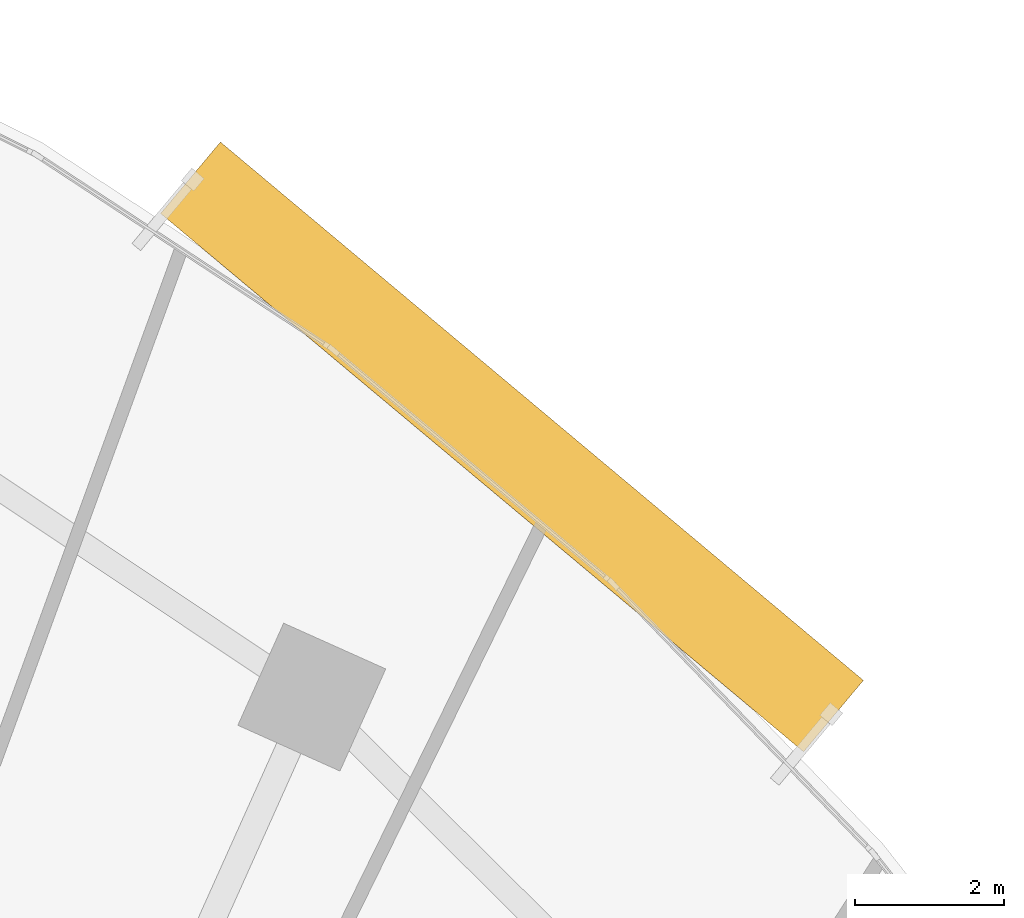
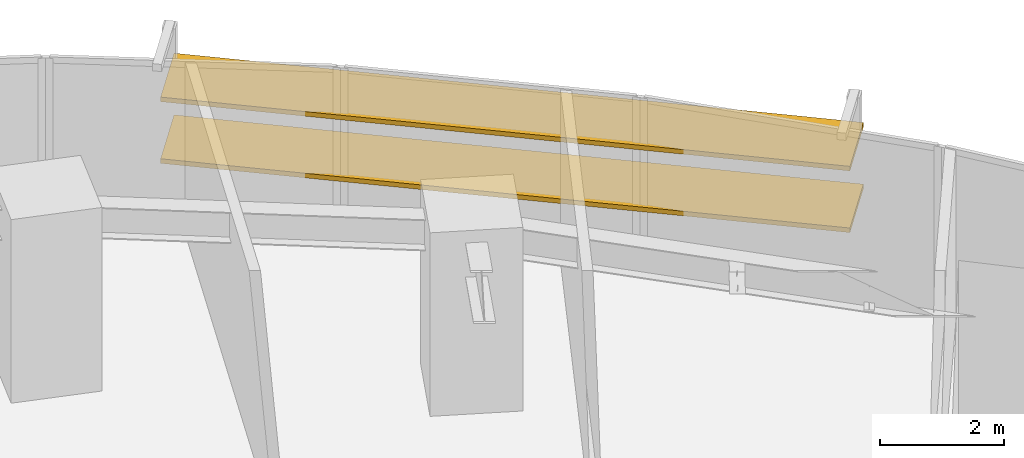
# One storey, part 17 of 17: 2 shading devices.
"""IFC4 building model written with IfcOpenShell, lengths in metres."""

import ifcopenshell
import ifcopenshell.guid

model = None  # the IFC model being written
_history = None  # IfcOwnerHistory: only IFC2X3 demands one
_inside = {}  # id of a spatial element -> (the spatial element, [elements in it])
_under = {}  # id of a project, library or spatial element -> (it, [spatial elements below it])
_declared = {}  # id of a project -> (the project, [libraries it declares])
_typed = {}  # id of a type object -> (the type object, [elements of that type])
_made_of = {}  # id of a material, layer set ... -> (it, [elements and type objects made of it])


def new_model(schema):
    """Start an empty IFC model of exactly this schema.

    Asked for "IFC4X3", IfcOpenShell would pick the latest addendum, in which some entities
    have other attributes; the version numbers below select the first issue.
    IFC2X3 requires an IfcOwnerHistory on every rooted entity: one is made here for all.
    """
    global model, _history
    if schema == "IFC4X3":
        model = ifcopenshell.file(schema_version=(4, 3, 0, 0))
    else:
        model = ifcopenshell.file(schema=schema)
    _inside.clear()
    _under.clear()
    _declared.clear()
    _typed.clear()
    _made_of.clear()
    _history = None
    if model.schema == "IFC2X3":
        org = make("IfcOrganization", Name="unknown")
        user = make(
            "IfcPersonAndOrganization",
            ThePerson=make("IfcPerson", FamilyName="unknown"),
            TheOrganization=org,
        )
        app = make(
            "IfcApplication",
            ApplicationDeveloper=org,
            Version="unknown",
            ApplicationFullName="unknown",
            ApplicationIdentifier="unknown",
        )
        _history = make(
            "IfcOwnerHistory",
            OwningUser=user,
            OwningApplication=app,
            ChangeAction="ADDED",
            CreationDate=0,
        )
    return model


def make(cls, **values):
    """One entity of the class cls with the attributes given. An attribute that is None is left unset."""
    return model.create_entity(
        cls, **{name: value for name, value in values.items() if value is not None}
    )


def rooted(cls, **values):
    """An entity with a GlobalId (a new one), such as an element, a storey or a relation."""
    return make(cls, GlobalId=ifcopenshell.guid.new(), OwnerHistory=_history, **values)


def si_unit(unit_type, name, prefix=None):
    """IfcSIUnit, for example si_unit("LENGTHUNIT", "METRE", prefix="MILLI")."""
    return make("IfcSIUnit", UnitType=unit_type, Prefix=prefix, Name=name)


def assignment(units):
    """IfcUnitAssignment: the units of a project."""
    return None if units is None else make("IfcUnitAssignment", Units=units)


def point(xyz):
    """IfcCartesianPoint."""
    return None if xyz is None else make("IfcCartesianPoint", Coordinates=xyz)


def direction(xyz):
    """IfcDirection."""
    return None if xyz is None else make("IfcDirection", DirectionRatios=xyz)


def frame(location, z_axis=None, x_axis=None):
    """IfcAxis2Placement3D, a coordinate frame: its origin and axes. An axis left out is left unset."""
    return make(
        "IfcAxis2Placement3D",
        Location=point(location),
        Axis=direction(z_axis),
        RefDirection=direction(x_axis),
    )


def frame_2d(location, x_axis=None):
    """IfcAxis2Placement2D, a coordinate frame in the plane: its origin and x axis."""
    return make(
        "IfcAxis2Placement2D", Location=point(location), RefDirection=direction(x_axis)
    )


def origin():
    """The frame at (0, 0, 0) with its axes left unset."""
    return frame((0.0, 0.0, 0.0))


def origin_2d():
    """The frame at (0, 0) in the plane with its x axis left unset."""
    return frame_2d((0.0, 0.0))


def place(relative_to, where):
    """IfcLocalPlacement: puts the frame where relative to a parent placement (None: the world)."""
    return make(
        "IfcLocalPlacement", PlacementRelTo=relative_to, RelativePlacement=where
    )


def context(
    kind, dimensions, precision=None, world=None, true_north=None, identifier=None
):
    """IfcGeometricRepresentationContext, for example the 3D "Model" context."""
    return make(
        "IfcGeometricRepresentationContext",
        ContextIdentifier=identifier,
        ContextType=kind,
        CoordinateSpaceDimension=dimensions,
        Precision=precision,
        WorldCoordinateSystem=world,
        TrueNorth=true_north,
    )


def subcontext(parent, identifier, kind, view, scale=None):
    """IfcGeometricRepresentationSubContext, for example "Body" below "Model"."""
    return make(
        "IfcGeometricRepresentationSubContext",
        ContextIdentifier=identifier,
        ContextType=kind,
        ParentContext=parent,
        TargetScale=scale,
        TargetView=view,
    )


def project(units=None, contexts=None):
    """IfcProject with its units and contexts."""
    return rooted(
        "IfcProject",
        Name="project",
        RepresentationContexts=contexts,
        UnitsInContext=assignment(units),
    )


def spatial(cls, under=None, at=None, **own):
    """A site, building, storey or space (cls), placed at a placement, below another one or the project."""
    s = rooted(cls, ObjectPlacement=at, **own)
    if under is not None:
        _under.setdefault(under.id(), (under, []))[1].append(s)
    return s


def profile(cls, at=None, kind="AREA", **sizes):
    """A parametric profile (cls). Its sizes go by their IFC names, for example OverallWidth=200.0."""
    return make(cls, ProfileType=kind, Position=at, **sizes)


def rectangle(**sizes):
    """IfcRectangleProfileDef."""
    return profile("IfcRectangleProfileDef", **sizes)


def extrude(swept, where, along, depth):
    """IfcExtrudedAreaSolid: the profile swept, set in the frame where, extruded along a direction by depth."""
    return make(
        "IfcExtrudedAreaSolid",
        SweptArea=swept,
        Position=where,
        ExtrudedDirection=direction(along),
        Depth=depth,
    )


def shape(context_of_items, identifier, shape_type, items):
    """IfcShapeRepresentation: the items that make up one representation, for example the "Body"."""
    return make(
        "IfcShapeRepresentation",
        ContextOfItems=context_of_items,
        RepresentationIdentifier=identifier,
        RepresentationType=shape_type,
        Items=items,
    )


def source(mapping_origin, context_of_items, identifier, shape_type, items):
    """IfcRepresentationMap: a shape defined once, which mapped items show again and again."""
    return make(
        "IfcRepresentationMap",
        MappingOrigin=mapping_origin,
        MappedRepresentation=shape(context_of_items, identifier, shape_type, items),
    )


def transform(
    local_origin,
    x_axis=None,
    y_axis=None,
    z_axis=None,
    scale=None,
    scale2=None,
    scale3=None,
    uniform=True,
):
    """IfcCartesianTransformationOperator3D, or its non-uniform kind. x_axis, y_axis, z_axis: its Axis1, 2, 3."""
    if uniform:
        return make(
            "IfcCartesianTransformationOperator3D",
            Axis1=direction(x_axis),
            Axis2=direction(y_axis),
            LocalOrigin=point(local_origin),
            Scale=scale,
            Axis3=direction(z_axis),
        )
    return make(
        "IfcCartesianTransformationOperator3DnonUniform",
        Axis1=direction(x_axis),
        Axis2=direction(y_axis),
        LocalOrigin=point(local_origin),
        Scale=scale,
        Axis3=direction(z_axis),
        Scale2=scale2,
        Scale3=scale3,
    )


def mapped(mapping_source, mapping_target):
    """IfcMappedItem: shows the shape of a source again, moved by a transform."""
    return make(
        "IfcMappedItem", MappingSource=mapping_source, MappingTarget=mapping_target
    )


def material(Name=None, Category=None):
    """IfcMaterial."""
    return make("IfcMaterial", Name=Name, Category=Category)


def material_profile(
    of_material, cross_section, Name=None, Category=None, Priority=None
):
    """IfcMaterialProfile: a cross section and its material."""
    return make(
        "IfcMaterialProfile",
        Name=Name,
        Material=of_material,
        Profile=cross_section,
        Priority=Priority,
        Category=Category,
    )


def profile_set(profiles, Name=None, composite=None):
    """IfcMaterialProfileSet."""
    return make(
        "IfcMaterialProfileSet",
        Name=Name,
        MaterialProfiles=profiles,
        CompositeProfile=composite,
    )


def made_of(thing, what):
    """Note that an element or type object is made of a material, layer set ...; save() writes the relation."""
    if what is not None:
        _made_of.setdefault(what.id(), (what, []))[1].append(thing)
    return thing


def type_object(cls, material=None, **own):
    """A type object (cls), such as IfcWallType, which elements share."""
    return made_of(rooted(cls, **own), material)


def element(
    cls,
    number,
    at=None,
    inside=None,
    cuts=None,
    type_object=None,
    material=None,
    context=None,
    identifier="Body",
    shape_type=None,
    held_by="IfcProductDefinitionShape",
    body=None,
    shapes=None,
    **own,
):
    """One element of the class cls, such as IfcWall. Its Tag is "e" and its number.

    at: its placement. inside: the storey or other place that contains it. cuts: it is an
    opening in that element (IfcRelVoidsElement). A single representation is given by context,
    identifier, shape_type and body (its items); several are given by shapes. held_by: the class
    of the entity that holds the representations. save() writes the other relations.
    """
    e = rooted(cls, Tag="e%d" % number, ObjectPlacement=at, **own)
    if body is not None:
        shapes = [shape(context, identifier, shape_type, body)]
    if shapes is not None:
        e.Representation = make(held_by, Representations=shapes)
    if inside is not None:
        _inside.setdefault(inside.id(), (inside, []))[1].append(e)
    if cuts is not None:
        rooted(
            "IfcRelVoidsElement", RelatingBuildingElement=cuts, RelatedOpeningElement=e
        )
    if type_object is not None:
        _typed.setdefault(type_object.id(), (type_object, []))[1].append(e)
    return made_of(e, material)


def aggregate(whole, parts):
    """IfcRelAggregates: a whole, such as a stair, and the parts it consists of."""
    return rooted("IfcRelAggregates", RelatingObject=whole, RelatedObjects=parts)


def save(model, path):
    """Write the relations noted so far, then the file.

    IfcRelAggregates (storeys below a building ...), IfcRelContainedInSpatialStructure (elements
    in a storey), IfcRelDefinesByType, IfcRelAssociatesMaterial and IfcRelDeclares: one each for
    every whole, place, type object, material and project.
    """
    for whole, parts in _under.values():
        aggregate(whole, parts)
    for where, things in _inside.values():
        rooted(
            "IfcRelContainedInSpatialStructure",
            RelatedElements=things,
            RelatingStructure=where,
        )
    for kind, things in _typed.values():
        rooted("IfcRelDefinesByType", RelatedObjects=things, RelatingType=kind)
    for what, things in _made_of.values():
        rooted("IfcRelAssociatesMaterial", RelatedObjects=things, RelatingMaterial=what)
    for by, libraries in _declared.values():
        rooted("IfcRelDeclares", RelatingContext=by, RelatedDefinitions=libraries)
    model.write(path)


model = new_model("IFC4")

# Units and contexts
model_context = context("Model", 3, precision=1e-05, world=origin(), true_north=direction((0.0, 1.0)))
body_context = subcontext(model_context, "Body", "Model", "MODEL_VIEW")
ifc_project = project(units=[si_unit("LENGTHUNIT", "METRE"), si_unit("AREAUNIT", "SQUARE_METRE"), si_unit("VOLUMEUNIT", "CUBIC_METRE"), si_unit("PLANEANGLEUNIT", "RADIAN"), si_unit("MASSUNIT", "GRAM", prefix="KILO")], contexts=[model_context])

# Site, building, storey
site_placement = place(None, origin())
site = spatial("IfcSite", under=ifc_project, at=site_placement, CompositionType="ELEMENT")
building_placement = place(site_placement, origin())
building = spatial("IfcBuilding", under=site, at=building_placement, Name="Breltana Convention Tower", CompositionType="ELEMENT")
storey_placement = place(building_placement, frame((0.0, 0.0, 57.0)))
storey = spatial("IfcBuildingStorey", under=building, at=storey_placement, Name="L12", CompositionType="ELEMENT", Elevation=57.0)

# Shading devices
ifc_material = material(Name="Limestone Warm Buff Honed", Category="masonry")
ifc_material_profile = material_profile(ifc_material, rectangle(XDim=1.25, YDim=0.090087890625, at=origin_2d()), Name="STN-LVR-1250X90")
ifc_profile_set = profile_set([ifc_material_profile], Name="Limestone Warm Buff Honed")
shading_device_type = type_object("IfcShadingDeviceType", Name="SHD-OUTER-SKIN-LIMESTONE-1250", PredefinedType="JALOUSIE", material=ifc_profile_set)
shared_shape = source(origin(), body_context, "Body", "SweptSolid", [
    extrude(rectangle(XDim=1.25, YDim=0.090087890625, at=origin_2d()), origin(), (0.0, 0.0, 1.0), 11.246337890625),
])
for number, where, z_axis, x_axis, name in (
    (1, (67.28369140625, 75.598388671875, 1.209716796875), (0.766719155588, -0.641982660556, 0.0), (0.641982660556, 0.766719155588, 0.0), "L12 outer skin warm limestone louvre 2.1"),
    (2, (67.28369140625, 75.598388671875, 2.419189453125), (0.766719155588, -0.641982660556, 0.0), (0.641982660556, 0.766719155588, 0.0), "L12 outer skin warm limestone louvre 2.2"),
):
    element("IfcShadingDevice", number, at=place(storey_placement, frame(where, z_axis=z_axis, x_axis=x_axis)), inside=storey, type_object=shading_device_type, Name=name, PredefinedType="JALOUSIE", context=body_context, shape_type="MappedRepresentation", body=[
        mapped(shared_shape, transform((0.0, 0.0, 0.0), scale=1.0)),
    ])

save(model, "model.ifc")
